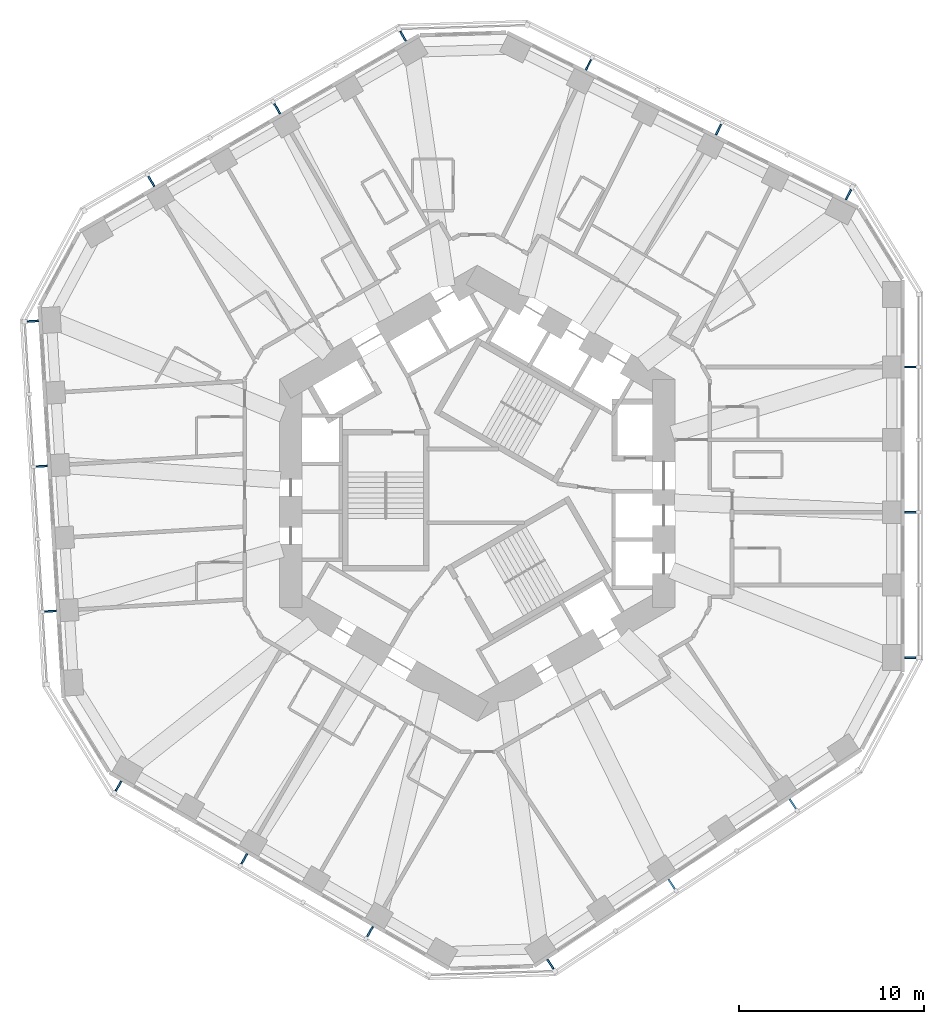
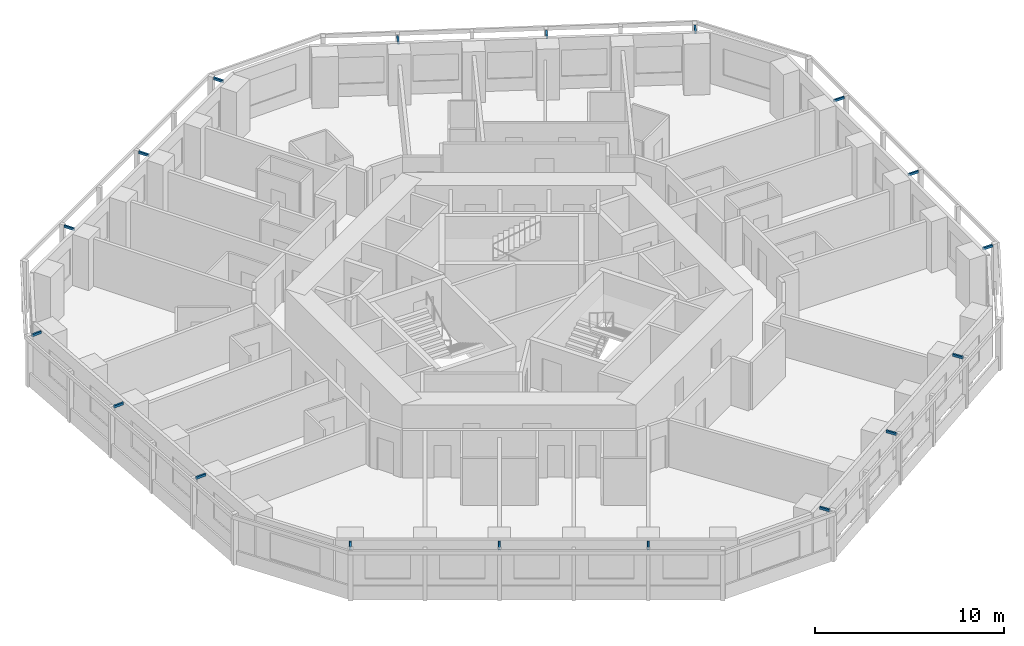
# One storey, part 11 of 12: 18 discrete accessories.
"""IFC4 building model written with IfcOpenShell, lengths in metres."""

from ifc_helpers import new_model, si_unit, direction, frame, origin, origin_2d, place, context, subcontext, project, spatial, rectangle, extrude, material, type_object, element, save


model = new_model("IFC4")

# Units and contexts
model_context = context("Model", 3, precision=1e-05, world=origin(), true_north=direction((0.0, 1.0)))
body_context = subcontext(model_context, "Body", "Model", "MODEL_VIEW")
ifc_project = project(units=[si_unit("LENGTHUNIT", "METRE"), si_unit("AREAUNIT", "SQUARE_METRE"), si_unit("VOLUMEUNIT", "CUBIC_METRE"), si_unit("PLANEANGLEUNIT", "RADIAN"), si_unit("MASSUNIT", "GRAM", prefix="KILO")], contexts=[model_context])

# Site, building, storey
site_placement = place(None, origin())
site = spatial("IfcSite", under=ifc_project, at=site_placement, CompositionType="ELEMENT")
building_placement = place(site_placement, origin())
building = spatial("IfcBuilding", under=site, at=building_placement, Name="Vanh Sen Convention Tower", CompositionType="ELEMENT")
storey_placement = place(building_placement, frame((0.0, 0.0, 90.199951171875)))
storey = spatial("IfcBuildingStorey", under=building, at=storey_placement, Name="L20", CompositionType="ELEMENT", Elevation=90.199951171875)

# Discrete accessories
ifc_material = material(Name="Steel S355", Category="steel")
discrete_accessory_type = type_object("IfcDiscreteAccessoryType", Name="Fin bracket 100 x 150", PredefinedType="BRACKET", material=ifc_material)
discrete_accessory_1_placement = place(storey_placement, frame((23.449951171875, -8.899169921875, 3.10009765625), z_axis=(0.0, 0.0, 1.0), x_axis=(1.0, 0.0, 0.0)))
element("IfcDiscreteAccessory", 1, at=discrete_accessory_1_placement, inside=storey, type_object=discrete_accessory_type, Name="Fin bracket E-1 L20", PredefinedType="BRACKET", context=body_context, shape_type="SweptSolid", body=[
    extrude(rectangle(XDim=0.60009765625, YDim=0.10009765625, at=origin_2d()), origin(), (0.0, 0.0, 1.0), 0.14990234375),
])
for number, where, z_axis, x_axis, name in (
    (2, (23.46240234375, -1.030029296875, 3.10009765625), (0.0, 0.0, 1.0), (1.0, 0.0, 0.0), "Fin bracket E-3 L20"),
    (3, (23.46240234375, 6.839111328125, 3.10009765625), (0.0, 0.0, 1.0), (1.0, 0.0, 0.0), "Fin bracket E-5 L20"),
):
    element("IfcDiscreteAccessory", number, at=place(storey_placement, frame(where, z_axis=z_axis, x_axis=x_axis)), inside=storey, type_object=discrete_accessory_type, Name=name, PredefinedType="BRACKET", context=body_context, shape_type="SweptSolid", body=[
        extrude(rectangle(XDim=0.625, YDim=0.10009765625, at=origin_2d()), origin(), (0.0, 0.0, 1.0), 0.14990234375),
    ])
discrete_accessory_2_placement = place(storey_placement, frame((20.10498046875, 16.178955078125, 3.10009765625), z_axis=(0.0, 0.0, 1.0), x_axis=(0.44619781311, 0.894934361602, 0.0)))
element("IfcDiscreteAccessory", 4, at=discrete_accessory_2_placement, inside=storey, type_object=discrete_accessory_type, Name="Fin bracket NE-1 L20", PredefinedType="BRACKET", context=body_context, shape_type="SweptSolid", body=[
    extrude(rectangle(XDim=0.60009765625, YDim=0.10009765625, at=origin_2d()), origin(), (0.0, 0.0, 1.0), 0.14990234375),
])
for number, where, z_axis, x_axis, name in (
    (5, (13.068359375, 19.701416015625, 3.10009765625), (0.0, 0.0, 1.0), (0.44619781311, 0.894934361602, 0.0), "Fin bracket NE-3 L20"),
    (6, (6.02587890625, 23.212646484375, 3.10009765625), (0.0, 0.0, 1.0), (0.44619781311, 0.894934361602, 0.0), "Fin bracket NE-5 L20"),
):
    element("IfcDiscreteAccessory", number, at=place(storey_placement, frame(where, z_axis=z_axis, x_axis=x_axis)), inside=storey, type_object=discrete_accessory_type, Name=name, PredefinedType="BRACKET", context=body_context, shape_type="SweptSolid", body=[
        extrude(rectangle(XDim=0.625, YDim=0.10009765625, at=origin_2d()), origin(), (0.0, 0.0, 1.0), 0.14990234375),
    ])
discrete_accessory_3_placement = place(storey_placement, frame((-4.01806640625, 24.7578125, 3.10009765625), z_axis=(0.0, 0.0, 1.0), x_axis=(-0.5, 0.866025403784, 0.0)))
element("IfcDiscreteAccessory", 7, at=discrete_accessory_3_placement, inside=storey, type_object=discrete_accessory_type, Name="Fin bracket NW-1 L20", PredefinedType="BRACKET", context=body_context, shape_type="SweptSolid", body=[
    extrude(rectangle(XDim=0.60009765625, YDim=0.10009765625, at=origin_2d()), origin(), (0.0, 0.0, 1.0), 0.14990234375),
])
for number, where, z_axis, x_axis, name in (
    (8, (-10.839111328125, 20.834228515625, 3.10009765625), (0.0, 0.0, 1.0), (-0.5, 0.866025403784, 0.0), "Fin bracket NW-3 L20"),
    (9, (-17.654296875, 16.899658203125, 3.10009765625), (0.0, 0.0, 1.0), (-0.5, 0.866025403784, 0.0), "Fin bracket NW-5 L20"),
):
    element("IfcDiscreteAccessory", number, at=place(storey_placement, frame(where, z_axis=z_axis, x_axis=x_axis)), inside=storey, type_object=discrete_accessory_type, Name=name, PredefinedType="BRACKET", context=body_context, shape_type="SweptSolid", body=[
        extrude(rectangle(XDim=0.625, YDim=0.10009765625, at=origin_2d()), origin(), (0.0, 0.0, 1.0), 0.14990234375),
    ])
discrete_accessory_4_placement = place(storey_placement, frame((-24.06396484375, 9.322021484375, 3.10009765625), z_axis=(0.0, 0.0, 1.0), x_axis=(-0.998134798422, -0.061048539535, 0.0)))
element("IfcDiscreteAccessory", 10, at=discrete_accessory_4_placement, inside=storey, type_object=discrete_accessory_type, Name="Fin bracket W-1 L20", PredefinedType="BRACKET", context=body_context, shape_type="SweptSolid", body=[
    extrude(rectangle(XDim=0.60009765625, YDim=0.10009765625, at=origin_2d()), origin(), (0.0, 0.0, 1.0), 0.14990234375),
])
for number, where, z_axis, x_axis, name in (
    (11, (-23.595947265625, 1.466796875, 3.10009765625), (0.0, 0.0, 1.0), (-0.998134798422, -0.061048539535, 0.0), "Fin bracket W-3 L20"),
    (12, (-23.115478515625, -6.3876953125, 3.10009765625), (0.0, 0.0, 1.0), (-0.998134798422, -0.061048539535, 0.0), "Fin bracket W-5 L20"),
):
    element("IfcDiscreteAccessory", number, at=place(storey_placement, frame(where, z_axis=z_axis, x_axis=x_axis)), inside=storey, type_object=discrete_accessory_type, Name=name, PredefinedType="BRACKET", context=body_context, shape_type="SweptSolid", body=[
        extrude(rectangle(XDim=0.625, YDim=0.10009765625, at=origin_2d()), origin(), (0.0, 0.0, 1.0), 0.14990234375),
    ])
discrete_accessory_5_placement = place(storey_placement, frame((-19.431884765625, -15.858642578125, 3.10009765625), z_axis=(0.0, 0.0, 1.0), x_axis=(-0.5, -0.866025403784, 0.0)))
element("IfcDiscreteAccessory", 13, at=discrete_accessory_5_placement, inside=storey, type_object=discrete_accessory_type, Name="Fin bracket SW-1 L20", PredefinedType="BRACKET", context=body_context, shape_type="SweptSolid", body=[
    extrude(rectangle(XDim=0.60009765625, YDim=0.10009765625, at=origin_2d()), origin(), (0.0, 0.0, 1.0), 0.14990234375),
])
for number, where, z_axis, x_axis, name in (
    (14, (-12.623291015625, -19.80419921875, 3.10009765625), (0.0, 0.0, 1.0), (-0.5, -0.866025403784, 0.0), "Fin bracket SW-3 L20"),
    (15, (-5.808349609375, -23.73876953125, 3.10009765625), (0.0, 0.0, 1.0), (-0.5, -0.866025403784, 0.0), "Fin bracket SW-5 L20"),
):
    element("IfcDiscreteAccessory", number, at=place(storey_placement, frame(where, z_axis=z_axis, x_axis=x_axis)), inside=storey, type_object=discrete_accessory_type, Name=name, PredefinedType="BRACKET", context=body_context, shape_type="SweptSolid", body=[
        extrude(rectangle(XDim=0.625, YDim=0.10009765625, at=origin_2d()), origin(), (0.0, 0.0, 1.0), 0.14990234375),
    ])
discrete_accessory_6_placement = place(storey_placement, frame((3.958740234375, -25.5009765625, 3.10009765625), z_axis=(0.0, 0.0, 1.0), x_axis=(0.551936985312, -0.833885822067, 0.0)))
element("IfcDiscreteAccessory", 16, at=discrete_accessory_6_placement, inside=storey, type_object=discrete_accessory_type, Name="Fin bracket SE-1 L20", PredefinedType="BRACKET", context=body_context, shape_type="SweptSolid", body=[
    extrude(rectangle(XDim=0.60009765625, YDim=0.10009765625, at=origin_2d()), origin(), (0.0, 0.0, 1.0), 0.14990234375),
])
for number, where, z_axis, x_axis, name in (
    (17, (10.527587890625, -21.168212890625, 3.10009765625), (0.0, 0.0, 1.0), (0.551936985312, -0.833885822067, 0.0), "Fin bracket SE-3 L20"),
    (18, (17.089599609375, -16.824951171875, 3.10009765625), (0.0, 0.0, 1.0), (0.551936985312, -0.833885822067, 0.0), "Fin bracket SE-5 L20"),
):
    element("IfcDiscreteAccessory", number, at=place(storey_placement, frame(where, z_axis=z_axis, x_axis=x_axis)), inside=storey, type_object=discrete_accessory_type, Name=name, PredefinedType="BRACKET", context=body_context, shape_type="SweptSolid", body=[
        extrude(rectangle(XDim=0.625, YDim=0.10009765625, at=origin_2d()), origin(), (0.0, 0.0, 1.0), 0.14990234375),
    ])

save(model, "model.ifc")
